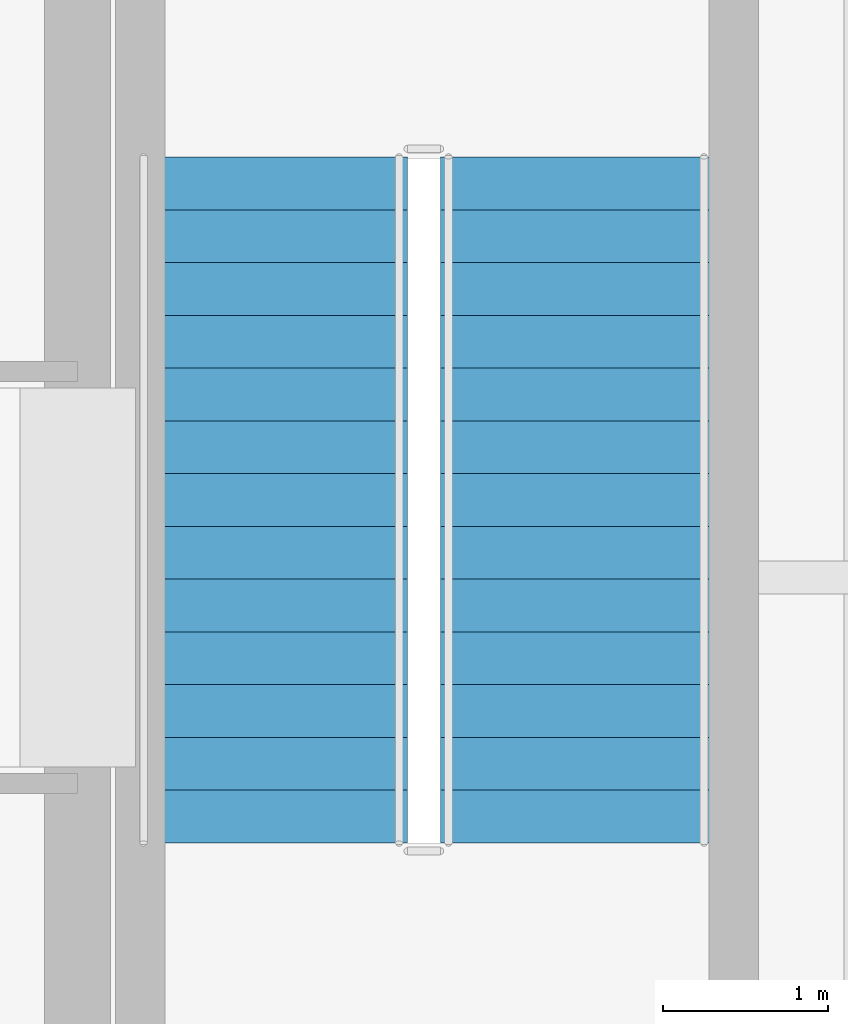
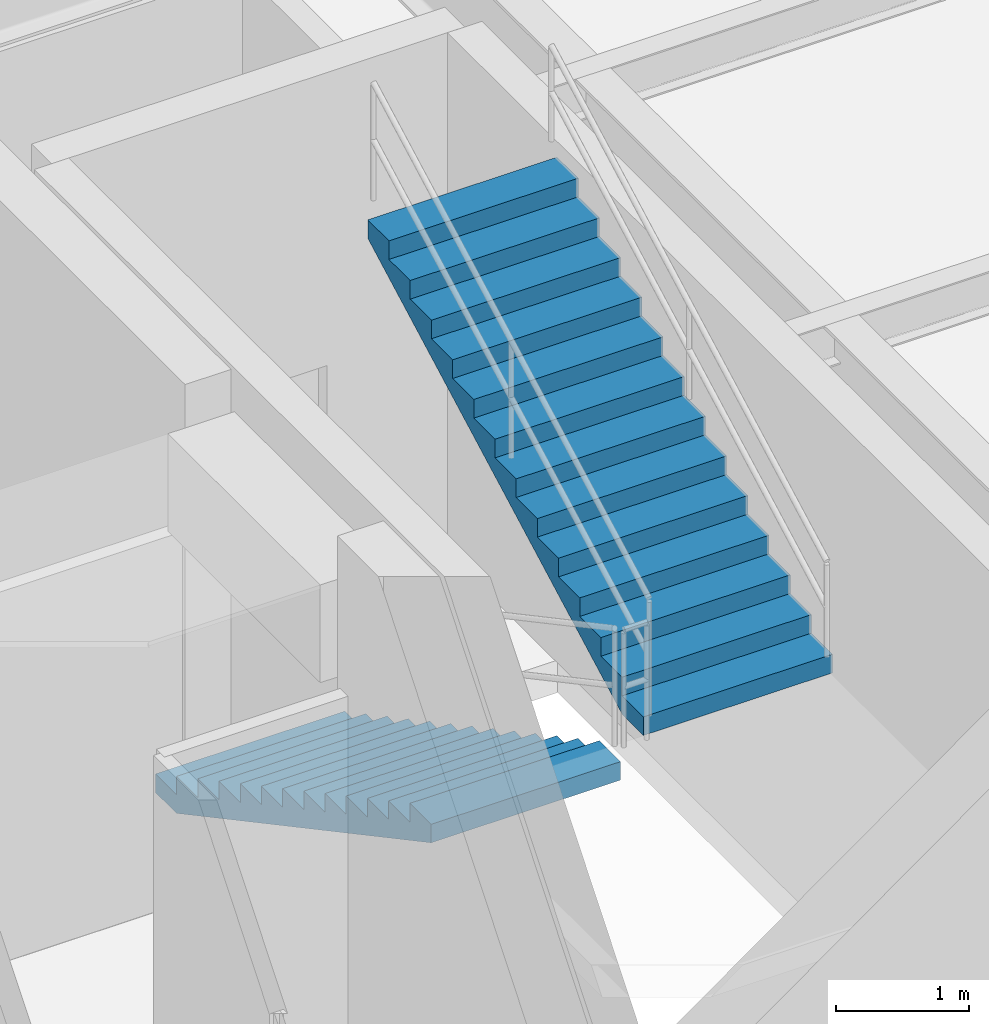
# One storey, part 18 of 21: 2 stair flights, 1 element without a shape of its own.
"""IFC4 building model written with IfcOpenShell, lengths in metres."""

from ifc_helpers import new_model, si_unit, direction, frame, origin, place, context, subcontext, project, spatial, polyline, outline, extrude, material, type_object, element, aggregate, save


model = new_model("IFC4")

# Units and contexts
model_context = context("Model", 3, precision=1e-05, world=origin(), true_north=direction((0.0, 1.0)))
body_context = subcontext(model_context, "Body", "Model", "MODEL_VIEW")
ifc_project = project(units=[si_unit("LENGTHUNIT", "METRE"), si_unit("AREAUNIT", "SQUARE_METRE"), si_unit("VOLUMEUNIT", "CUBIC_METRE"), si_unit("PLANEANGLEUNIT", "RADIAN"), si_unit("MASSUNIT", "GRAM", prefix="KILO")], contexts=[model_context])

# Site, building, storey
site_placement = place(None, origin())
site = spatial("IfcSite", under=ifc_project, at=site_placement, CompositionType="ELEMENT")
building_placement = place(site_placement, origin())
building = spatial("IfcBuilding", under=site, at=building_placement, Name="Veldorina Hangang Commons", CompositionType="ELEMENT")
storey_placement = place(building_placement, frame((0.0, 0.0, 19.60009765625)))
storey = spatial("IfcBuildingStorey", under=building, at=storey_placement, Name="L04", CompositionType="ELEMENT", Elevation=19.60009765625)

# Stair, stair flights
ifc_material = material(Name="Concrete C40/50", Category="concrete")
stair_type = type_object("IfcStairType", Name="STR-DOG-1650-28R", PredefinedType="HALF_TURN_STAIR", material=ifc_material)
stair_placement = place(storey_placement, origin())
stair = element("IfcStair", 1, at=stair_placement, inside=storey, type_object=stair_type, Name="L04 Exit stair ST-2", PredefinedType="HALF_TURN_STAIR")
stair_flight_type = type_object("IfcStairFlightType", Name="SFL-STR-1650-28R", PredefinedType="STRAIGHT", material=ifc_material)
stair_flight_1_placement = place(storey_placement, frame((40.375, 26.550048828125, 0.0), z_axis=(0.0, 0.0, 1.0), x_axis=(0.0, -1.0, 0.0)))
stair_flight_1 = element("IfcStairFlight", 2, at=stair_flight_1_placement, type_object=stair_flight_type, Name="ST-2 flight 1", NumberOfRisers=14, NumberOfTreads=13, PredefinedType="STRAIGHT", RiserHeight=0.171428571, TreadLength=0.32, context=body_context, shape_type="SweptSolid", body=[
    extrude(outline(polyline([(0.0, 0.0), (0.0, 0.17138671875), (0.320068359375, 0.17138671875), (0.320068359375, 0.3427734375), (0.639892578125, 0.3427734375), (0.639892578125, 0.514404296875), (0.9599609375, 0.514404296875), (0.9599609375, 0.685791015625), (1.280029296875, 0.685791015625), (1.280029296875, 0.857177734375), (1.60009765625, 0.857177734375), (1.60009765625, 1.028564453125), (1.919921875, 1.028564453125), (1.919921875, 1.199951171875), (2.239990234375, 1.199951171875), (2.239990234375, 1.371337890625), (2.56005859375, 1.371337890625), (2.56005859375, 1.54296875), (2.8798828125, 1.54296875), (2.8798828125, 1.71435546875), (3.199951171875, 1.71435546875), (3.199951171875, 1.8857421875), (3.52001953125, 1.8857421875), (3.52001953125, 2.05712890625), (3.840087890625, 2.05712890625), (3.840087890625, 2.228515625), (4.159912109375, 2.228515625), (4.159912109375, 2.39990234375), (4.159912109375, 2.05859375), (0.3173828125, 0.0), (0.0, 0.0)])), frame((0.0, 0.824951171875, 0.0), z_axis=(0.0, -1.0, 0.0), x_axis=(1.0, 0.0, 0.0)), (0.0, 0.0, 1.0), 1.64990234375),
])
stair_flight_2_placement = place(storey_placement, frame((42.22509765625, 22.389892578125, 2.39990234375), z_axis=(0.0, 0.0, 1.0), x_axis=(0.0, 1.0, 0.0)))
stair_flight_2 = element("IfcStairFlight", 3, at=stair_flight_2_placement, type_object=stair_flight_type, Name="ST-2 flight 2", NumberOfRisers=14, NumberOfTreads=13, PredefinedType="STRAIGHT", RiserHeight=0.171428571, TreadLength=0.32, context=body_context, shape_type="SweptSolid", body=[
    extrude(outline(polyline([(0.0, 0.0), (0.0, 0.17138671875), (0.320068359375, 0.17138671875), (0.320068359375, 0.3427734375), (0.639892578125, 0.3427734375), (0.639892578125, 0.514404296875), (0.9599609375, 0.514404296875), (0.9599609375, 0.685791015625), (1.280029296875, 0.685791015625), (1.280029296875, 0.857177734375), (1.60009765625, 0.857177734375), (1.60009765625, 1.028564453125), (1.919921875, 1.028564453125), (1.919921875, 1.199951171875), (2.239990234375, 1.199951171875), (2.239990234375, 1.371337890625), (2.56005859375, 1.371337890625), (2.56005859375, 1.54296875), (2.8798828125, 1.54296875), (2.8798828125, 1.71435546875), (3.199951171875, 1.71435546875), (3.199951171875, 1.8857421875), (3.52001953125, 1.8857421875), (3.52001953125, 2.05712890625), (3.840087890625, 2.05712890625), (3.840087890625, 2.228515625), (4.159912109375, 2.228515625), (4.159912109375, 2.39990234375), (4.159912109375, 2.05859375), (0.3173828125, 0.0), (0.0, 0.0)])), frame((0.0, 0.824951171875, 0.0), z_axis=(0.0, -1.0, 0.0), x_axis=(1.0, 0.0, 0.0)), (0.0, 0.0, 1.0), 1.64990234375),
])
aggregate(stair, [stair_flight_1, stair_flight_2])

save(model, "model.ifc")
